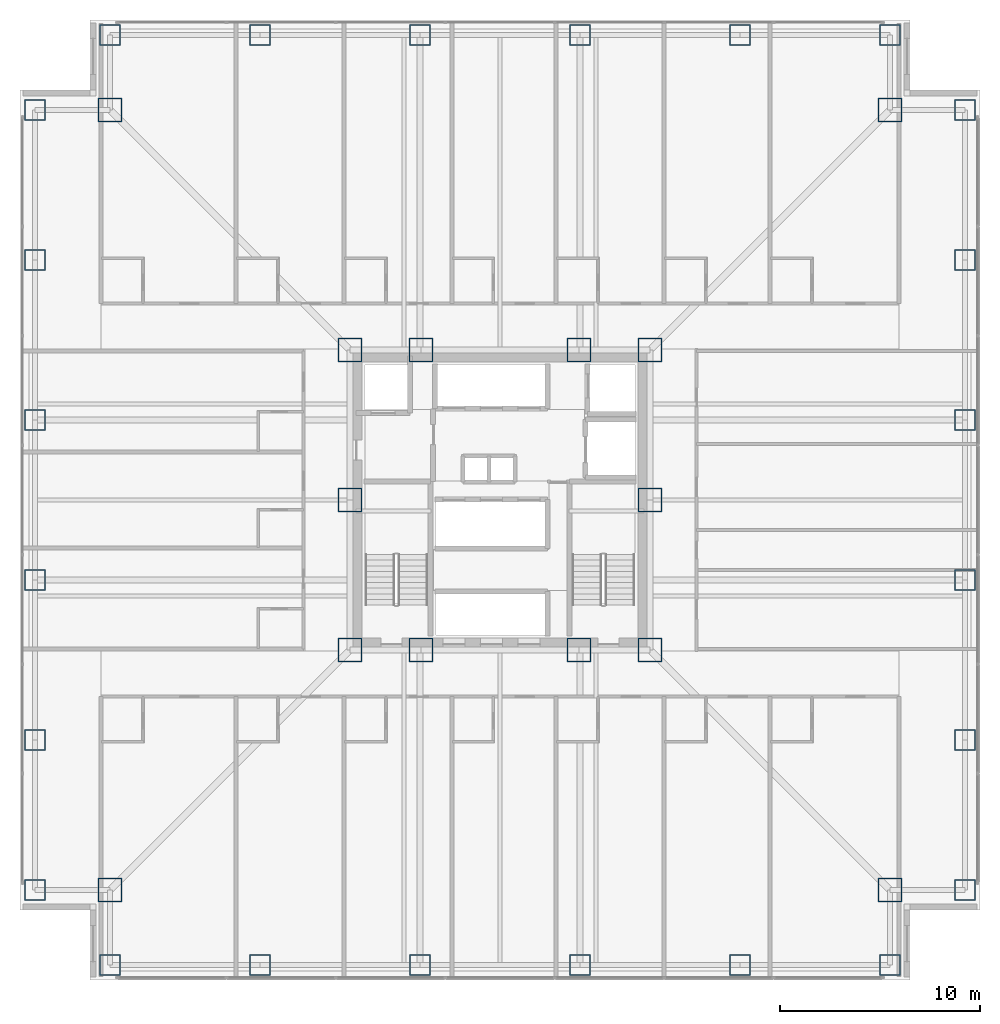
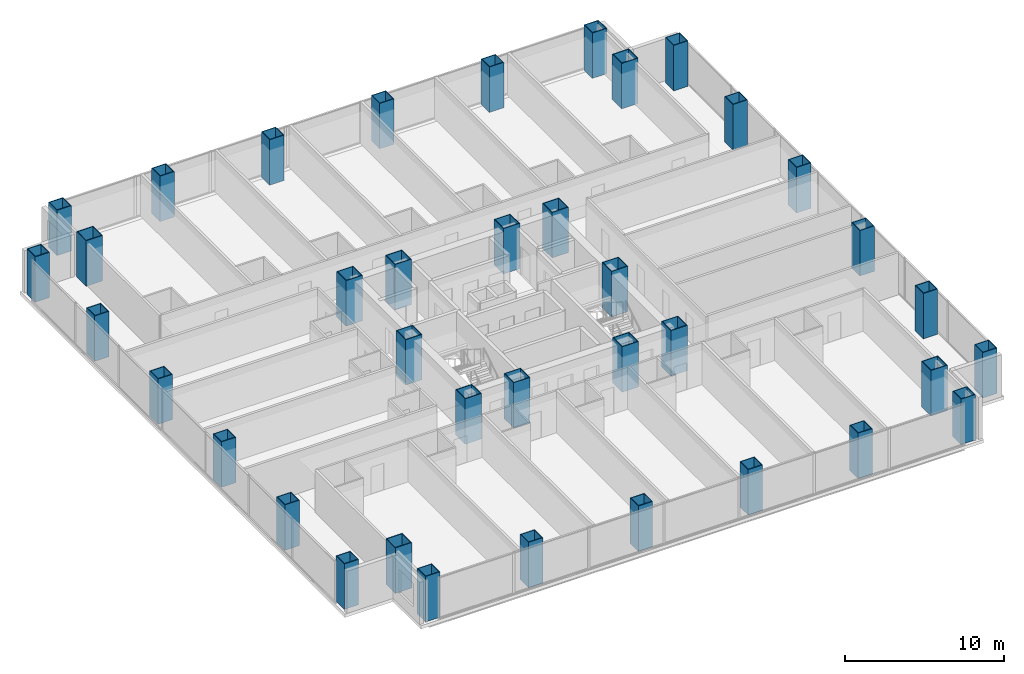
# One storey, part 1 of 17: 38 columns.
"""IFC4 building model written with IfcOpenShell, lengths in metres."""

from ifc_helpers import new_model, si_unit, direction, frame, origin, origin_2d, place, context, subcontext, project, spatial, hollow_rectangle, extrude, material, material_profile, profile_set, type_object, element, save


model = new_model("IFC4")

# Units and contexts
model_context = context("Model", 3, precision=1e-05, world=origin(), true_north=direction((0.0, 1.0)))
body_context = subcontext(model_context, "Body", "Model", "MODEL_VIEW")
ifc_project = project(units=[si_unit("LENGTHUNIT", "METRE"), si_unit("AREAUNIT", "SQUARE_METRE"), si_unit("VOLUMEUNIT", "CUBIC_METRE"), si_unit("PLANEANGLEUNIT", "RADIAN"), si_unit("MASSUNIT", "GRAM", prefix="KILO")], contexts=[model_context])

# Site, building, storey
site_placement = place(None, origin())
site = spatial("IfcSite", under=ifc_project, at=site_placement, CompositionType="ELEMENT")
building_placement = place(site_placement, origin())
building = spatial("IfcBuilding", under=site, at=building_placement, Name="Trevonay Congress Spire", CompositionType="ELEMENT")
storey_placement = place(building_placement, frame((0.0, 0.0, 30.5)))
storey = spatial("IfcBuildingStorey", under=building, at=storey_placement, Name="L06", CompositionType="ELEMENT", Elevation=30.5)

# Columns
ifc_material = material(Name="Steel ASTM A572 Grade 50", Category="steel")
ifc_material_profile_1 = material_profile(ifc_material, hollow_rectangle(XDim=1.199951171875, YDim=1.199951171875, WallThickness=0.054931640625, at=origin_2d()), Name="BOX 1200x1200x55")
ifc_profile_set_1 = profile_set([ifc_material_profile_1], Name="Steel ASTM A572 Grade 50")
column_type_1 = type_object("IfcColumnType", Name="COL-CORE-BOX1200", PredefinedType="COLUMN", material=ifc_profile_set_1)
for number, where, z_axis, x_axis, name in (
    (1, (-7.5, -7.5, 0.0), (0.0, 0.0, 1.0), (1.0, 0.0, 0.0), "L06 column C02 at CC-SW"),
    (2, (-3.949951171875, -7.5, 0.0), (0.0, 0.0, 1.0), (1.0, 0.0, 0.0), "L06 column C02 at CC-SMW"),
    (3, (3.949951171875, -7.5, 0.0), (0.0, 0.0, 1.0), (1.0, 0.0, 0.0), "L06 column C02 at CC-SME"),
    (4, (7.5, -7.5, 0.0), (0.0, 0.0, 1.0), (1.0, 0.0, 0.0), "L06 column C02 at CC-SE"),
    (5, (7.5, 0.0, 0.0), (0.0, 0.0, 1.0), (1.0, 0.0, 0.0), "L06 column C02 at CC-E"),
    (6, (7.5, 7.5, 0.0), (0.0, 0.0, 1.0), (1.0, 0.0, 0.0), "L06 column C02 at CC-NE"),
    (7, (3.949951171875, 7.5, 0.0), (0.0, 0.0, 1.0), (1.0, 0.0, 0.0), "L06 column C02 at CC-NME"),
    (8, (-3.949951171875, 7.5, 0.0), (0.0, 0.0, 1.0), (1.0, 0.0, 0.0), "L06 column C02 at CC-NMW"),
    (9, (-7.5, 7.5, 0.0), (0.0, 0.0, 1.0), (1.0, 0.0, 0.0), "L06 column C02 at CC-NW"),
    (10, (-7.5, 0.0, 0.0), (0.0, 0.0, 1.0), (1.0, 0.0, 0.0), "L06 column C02 at CC-W"),
):
    element("IfcColumn", number, at=place(storey_placement, frame(where, z_axis=z_axis, x_axis=x_axis)), inside=storey, type_object=column_type_1, Name=name, PredefinedType="COLUMN", context=body_context, shape_type="SweptSolid", body=[
        extrude(hollow_rectangle(XDim=1.199951171875, YDim=1.199951171875, WallThickness=0.054931640625, at=origin_2d()), origin(), (0.0, 0.0, 1.0), 3.5),
    ])
ifc_material_profile_2 = material_profile(ifc_material, hollow_rectangle(XDim=1.199951171875, YDim=1.199951171875, WallThickness=0.054931640625, at=origin_2d()), Name="BOX 1200x1200x55")
ifc_profile_set_2 = profile_set([ifc_material_profile_2], Name="Steel ASTM A572 Grade 50")
column_type_2 = type_object("IfcColumnType", Name="COL-NOTCH-BOX1200", PredefinedType="COLUMN", material=ifc_profile_set_2)
for number, where, z_axis, x_axis, name in (
    (11, (-19.5, -19.5, 0.0), (0.0, 0.0, 1.0), (1.0, 0.0, 0.0), "L06 column C19 at NC-SW"),
    (12, (19.5, -19.5, 0.0), (0.0, 0.0, 1.0), (1.0, 0.0, 0.0), "L06 column C19 at NC-SE"),
    (13, (19.5, 19.5, 0.0), (0.0, 0.0, 1.0), (1.0, 0.0, 0.0), "L06 column C19 at NC-NE"),
    (14, (-19.5, 19.5, 0.0), (0.0, 0.0, 1.0), (1.0, 0.0, 0.0), "L06 column C19 at NC-NW"),
):
    element("IfcColumn", number, at=place(storey_placement, frame(where, z_axis=z_axis, x_axis=x_axis)), inside=storey, type_object=column_type_2, Name=name, PredefinedType="COLUMN", context=body_context, shape_type="SweptSolid", body=[
        extrude(hollow_rectangle(XDim=1.199951171875, YDim=1.199951171875, WallThickness=0.054931640625, at=origin_2d()), origin(), (0.0, 0.0, 1.0), 3.5),
    ])
ifc_material_profile_3 = material_profile(ifc_material, hollow_rectangle(XDim=1.050048828125, YDim=1.050048828125, WallThickness=0.050048828125, at=origin_2d()), Name="BOX 1050x1050x50")
ifc_profile_set_3 = profile_set([ifc_material_profile_3], Name="Steel ASTM A572 Grade 50")
column_type_3 = type_object("IfcColumnType", Name="COL-TUBE-BOX1050", PredefinedType="COLUMN", material=ifc_profile_set_3)
for number, where, z_axis, x_axis, name in (
    (15, (-19.5, -23.25, 0.0), (0.0, 0.0, 1.0), (1.0, 0.0, 0.0), "L06 column C14 at TS-1"),
    (16, (-19.5, 23.25, 0.0), (0.0, 0.0, 1.0), (1.0, 0.0, 0.0), "L06 column C14 at TN-1"),
    (17, (-23.25, -19.5, 0.0), (0.0, 0.0, 1.0), (1.0, 0.0, 0.0), "L06 column C14 at TW-1"),
    (18, (23.25, -19.5, 0.0), (0.0, 0.0, 1.0), (1.0, 0.0, 0.0), "L06 column C14 at TE-1"),
    (19, (-12.0, -23.25, 0.0), (0.0, 0.0, 1.0), (1.0, 0.0, 0.0), "L06 column C14 at TS-2"),
    (20, (-12.0, 23.25, 0.0), (0.0, 0.0, 1.0), (1.0, 0.0, 0.0), "L06 column C14 at TN-2"),
    (21, (-23.25, -12.0, 0.0), (0.0, 0.0, 1.0), (1.0, 0.0, 0.0), "L06 column C14 at TW-2"),
    (22, (23.25, -12.0, 0.0), (0.0, 0.0, 1.0), (1.0, 0.0, 0.0), "L06 column C14 at TE-2"),
    (23, (-4.0, -23.25, 0.0), (0.0, 0.0, 1.0), (1.0, 0.0, 0.0), "L06 column C14 at TS-3"),
    (24, (-4.0, 23.25, 0.0), (0.0, 0.0, 1.0), (1.0, 0.0, 0.0), "L06 column C14 at TN-3"),
    (25, (-23.25, -4.0, 0.0), (0.0, 0.0, 1.0), (1.0, 0.0, 0.0), "L06 column C14 at TW-3"),
    (26, (23.25, -4.0, 0.0), (0.0, 0.0, 1.0), (1.0, 0.0, 0.0), "L06 column C14 at TE-3"),
    (27, (4.0, -23.25, 0.0), (0.0, 0.0, 1.0), (1.0, 0.0, 0.0), "L06 column C14 at TS-4"),
    (28, (4.0, 23.25, 0.0), (0.0, 0.0, 1.0), (1.0, 0.0, 0.0), "L06 column C14 at TN-4"),
    (29, (-23.25, 4.0, 0.0), (0.0, 0.0, 1.0), (1.0, 0.0, 0.0), "L06 column C14 at TW-4"),
    (30, (23.25, 4.0, 0.0), (0.0, 0.0, 1.0), (1.0, 0.0, 0.0), "L06 column C14 at TE-4"),
    (31, (12.0, -23.25, 0.0), (0.0, 0.0, 1.0), (1.0, 0.0, 0.0), "L06 column C14 at TS-5"),
    (32, (12.0, 23.25, 0.0), (0.0, 0.0, 1.0), (1.0, 0.0, 0.0), "L06 column C14 at TN-5"),
    (33, (-23.25, 12.0, 0.0), (0.0, 0.0, 1.0), (1.0, 0.0, 0.0), "L06 column C14 at TW-5"),
    (34, (23.25, 12.0, 0.0), (0.0, 0.0, 1.0), (1.0, 0.0, 0.0), "L06 column C14 at TE-5"),
    (35, (19.5, -23.25, 0.0), (0.0, 0.0, 1.0), (1.0, 0.0, 0.0), "L06 column C14 at TS-6"),
    (36, (19.5, 23.25, 0.0), (0.0, 0.0, 1.0), (1.0, 0.0, 0.0), "L06 column C14 at TN-6"),
    (37, (-23.25, 19.5, 0.0), (0.0, 0.0, 1.0), (1.0, 0.0, 0.0), "L06 column C14 at TW-6"),
    (38, (23.25, 19.5, 0.0), (0.0, 0.0, 1.0), (1.0, 0.0, 0.0), "L06 column C14 at TE-6"),
):
    element("IfcColumn", number, at=place(storey_placement, frame(where, z_axis=z_axis, x_axis=x_axis)), inside=storey, type_object=column_type_3, Name=name, PredefinedType="COLUMN", context=body_context, shape_type="SweptSolid", body=[
        extrude(hollow_rectangle(XDim=1.050048828125, YDim=1.050048828125, WallThickness=0.050048828125, at=origin_2d()), origin(), (0.0, 0.0, 1.0), 3.5),
    ])

save(model, "model.ifc")
